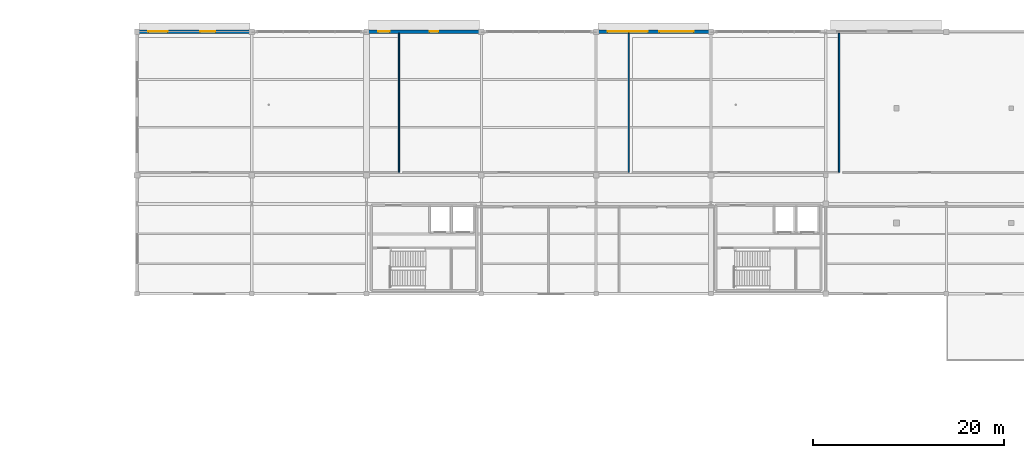
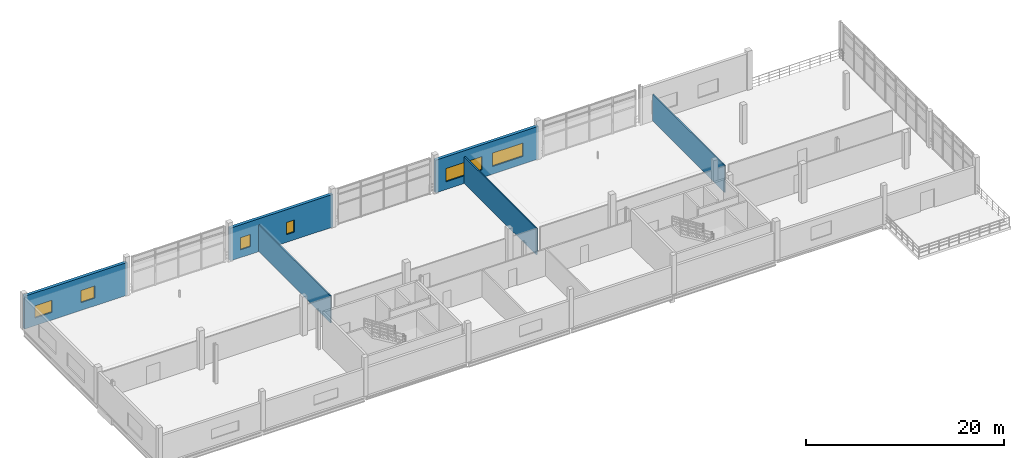
# One storey, part 41 of 52: 6 walls, 6 windows, 6 openings.
"""IFC4 building model written with IfcOpenShell, lengths in metres."""

from ifc_helpers import new_model, si_unit, direction, frame, frame_2d, origin, place, context, subcontext, project, spatial, rectangle, extrude, material, layer, layer_set, type_object, element, fill, save


model = new_model("IFC4")

# Units and contexts
model_context = context("Model", 3, precision=1e-05, world=origin(), true_north=direction((0.0, 1.0)))
body_context = subcontext(model_context, "Body", "Model", "MODEL_VIEW")
ifc_project = project(units=[si_unit("LENGTHUNIT", "METRE"), si_unit("AREAUNIT", "SQUARE_METRE"), si_unit("VOLUMEUNIT", "CUBIC_METRE"), si_unit("PLANEANGLEUNIT", "RADIAN"), si_unit("MASSUNIT", "GRAM", prefix="KILO"), si_unit("THERMODYNAMICTEMPERATUREUNIT", "KELVIN"), si_unit("POWERUNIT", "WATT")], contexts=[model_context])

# Site, building, storey
site_placement = place(None, origin())
site = spatial("IfcSite", under=ifc_project, at=site_placement, CompositionType="ELEMENT")
building_placement = place(site_placement, origin())
building = spatial("IfcBuilding", under=site, at=building_placement, Name="Solmara Park Aquatics Centre", CompositionType="ELEMENT")
storey_placement = place(building_placement, frame((0.0, 0.0, 9.60009765625)))
storey = spatial("IfcBuildingStorey", under=building, at=storey_placement, Name="L02", CompositionType="ELEMENT", Elevation=9.60009765625)

# Walls
ifc_material_1 = material(Name="Double-Stud Acoustic Gypsum Partition", Category="gypsum")
ifc_layer_1 = layer(ifc_material_1, 0.139892578125, Name="Double-Stud Acoustic Gypsum Partition")
ifc_layer_set_1 = layer_set([ifc_layer_1], Name="Double-Stud Acoustic Gypsum Partition")
wall_type_1 = type_object("IfcWallType", Name="ARC-WL-ACU140", PredefinedType="PARTITIONING", material=ifc_layer_set_1)
for number, where, z_axis, x_axis, name in (
    (1, (52.0, 121.300048828125, 0.0), (0.0, 0.0, 1.0), (0.0, 1.0, 0.0), "Interior Partition IW-L02-0113 (L02-PHY-01)"),
    (2, (76.0, 121.300048828125, 0.0), (0.0, 0.0, 1.0), (0.0, 1.0, 0.0), "Interior Partition IW-L02-0115 (L02-PHY-02)"),
    (3, (98.0, 121.300048828125, 0.0), (0.0, 0.0, 1.0), (0.0, 1.0, 0.0), "Interior Partition IW-L02-0117 (L02-BIO-01)"),
):
    element("IfcWall", number, at=place(storey_placement, frame(where, z_axis=z_axis, x_axis=x_axis)), inside=storey, type_object=wall_type_1, Name=name, PredefinedType="PARTITIONING", context=body_context, shape_type="SweptSolid", body=[
        extrude(rectangle(XDim=14.52490234375, YDim=0.139892578125, at=frame_2d((7.262451171875, 0.0))), origin(), (0.0, 0.0, 1.0), 3.2998046875),
    ])

# Wall, openings, windows
ifc_material_2 = material(Name="Insulated Limestone Render Wall", Category="masonry")
ifc_layer_2 = layer(ifc_material_2, 0.35009765625, Name="Insulated Limestone Render Wall")
ifc_layer_set_2 = layer_set([ifc_layer_2], Name="Insulated Limestone Render Wall")
wall_type_2 = type_object("IfcWallType", Name="ARC-WL-EXT350", PredefinedType="SOLIDWALL", material=ifc_layer_set_2)
wall_1_placement = place(storey_placement, frame((24.60009765625, 136.0, 0.0), z_axis=(0.0, 0.0, 1.0), x_axis=(1.0, 0.0, 0.0)))
wall_1 = element("IfcWall", 4, at=wall_1_placement, inside=storey, type_object=wall_type_2, Name="Exterior Facade Wall EW-L02-029", PredefinedType="SOLIDWALL", context=body_context, shape_type="SweptSolid", body=[
    extrude(rectangle(XDim=12.0, YDim=0.35009765625, at=frame_2d((6.0, 0.0))), origin(), (0.0, 0.0, 1.0), 4.039794921875),
])
opening_1_placement = place(wall_1_placement, frame((1.199951171875, 0.0, 0.949951171875)))
opening_1 = element("IfcOpeningElement", 5, at=opening_1_placement, cuts=wall_1, Name="Opening W-17", PredefinedType="OPENING", context=body_context, shape_type="SweptSolid", body=[
    extrude(rectangle(XDim=2.0, YDim=1.5, at=frame_2d((1.0, 0.75))), frame((0.0, 0.18505859375, 0.0), z_axis=(0.0, -1.0, 0.0), x_axis=(1.0, 0.0, 0.0)), (0.0, 0.0, 1.0), 0.3701171875),
])
opening_2_placement = place(wall_1_placement, frame((6.60009765625, 0.0, 0.949951171875)))
opening_2 = element("IfcOpeningElement", 6, at=opening_2_placement, cuts=wall_1, Name="Opening W-18", PredefinedType="OPENING", context=body_context, shape_type="SweptSolid", body=[
    extrude(rectangle(XDim=1.60009765625, YDim=1.5, at=frame_2d((0.800048828125, 0.75))), frame((0.0, 0.18505859375, 0.0), z_axis=(0.0, -1.0, 0.0), x_axis=(1.0, 0.0, 0.0)), (0.0, 0.0, 1.0), 0.3701171875),
])
ifc_material_3 = material(Name="Thermally Broken Aluminium and Low-E Double Glazing", Category="aluminium")
window_type_1 = type_object("IfcWindowType", Name="ARC-WN-160x150", PartitioningType="SINGLE_PANEL", PredefinedType="WINDOW", material=ifc_material_3)
window_1_placement = place(opening_2_placement, origin())
window_1 = element("IfcWindow", 7, at=window_1_placement, inside=storey, type_object=window_type_1, Name="Ribbon Window WN-072", OverallHeight=1.5, OverallWidth=1.60009765625, PartitioningType="SINGLE_PANEL", PredefinedType="WINDOW", context=body_context, shape_type="SweptSolid", body=[
    extrude(rectangle(XDim=1.60009765625, YDim=1.5, at=frame_2d((0.800048828125, 0.75))), frame((0.0, 0.030029296875, 0.0), z_axis=(0.0, -1.0, 0.0), x_axis=(1.0, 0.0, 0.0)), (0.0, 0.0, 1.0), 0.06005859375),
])
fill(opening_2, window_1)
window_type_2 = type_object("IfcWindowType", Name="ARC-WN-200x150", PartitioningType="DOUBLE_PANEL_VERTICAL", PredefinedType="WINDOW", material=ifc_material_3)
window_2_placement = place(opening_1_placement, origin())
window_2 = element("IfcWindow", 8, at=window_2_placement, inside=storey, type_object=window_type_2, Name="Ribbon Window WN-071", OverallHeight=1.5, OverallWidth=2.0, PartitioningType="DOUBLE_PANEL_VERTICAL", PredefinedType="WINDOW", context=body_context, shape_type="SweptSolid", body=[
    extrude(rectangle(XDim=2.0, YDim=1.5, at=frame_2d((1.0, 0.75))), frame((0.0, 0.030029296875, 0.0), z_axis=(0.0, -1.0, 0.0), x_axis=(1.0, 0.0, 0.0)), (0.0, 0.0, 1.0), 0.06005859375),
])
fill(opening_1, window_2)

wall_2_placement = place(storey_placement, frame((48.60009765625, 136.0, 0.0), z_axis=(0.0, 0.0, 1.0), x_axis=(1.0, 0.0, 0.0)))
wall_2 = element("IfcWall", 9, at=wall_2_placement, inside=storey, type_object=wall_type_2, Name="Exterior Facade Wall EW-L02-030", PredefinedType="SOLIDWALL", context=body_context, shape_type="SweptSolid", body=[
    extrude(rectangle(XDim=12.0, YDim=0.35009765625, at=frame_2d((6.0, 0.0))), origin(), (0.0, 0.0, 1.0), 4.039794921875),
])
opening_3_placement = place(wall_2_placement, frame((1.199951171875, 0.0, 0.949951171875)))
opening_3 = element("IfcOpeningElement", 10, at=opening_3_placement, cuts=wall_2, Name="Opening W-19", PredefinedType="OPENING", context=body_context, shape_type="SweptSolid", body=[
    extrude(rectangle(XDim=1.199951171875, YDim=1.5, at=frame_2d((0.60009765625, 0.75))), frame((0.0, 0.18505859375, 0.0), z_axis=(0.0, -1.0, 0.0), x_axis=(1.0, 0.0, 0.0)), (0.0, 0.0, 1.0), 0.3701171875),
])
opening_4_placement = place(wall_2_placement, frame((6.60009765625, 0.0, 0.949951171875)))
opening_4 = element("IfcOpeningElement", 11, at=opening_4_placement, cuts=wall_2, Name="Opening W-20", PredefinedType="OPENING", context=body_context, shape_type="SweptSolid", body=[
    extrude(rectangle(XDim=0.89990234375, YDim=1.5, at=frame_2d((0.449951171875, 0.75))), frame((0.0, 0.18505859375, 0.0), z_axis=(0.0, -1.0, 0.0), x_axis=(1.0, 0.0, 0.0)), (0.0, 0.0, 1.0), 0.3701171875),
])
window_type_3 = type_object("IfcWindowType", Name="ARC-WN-090x150", PartitioningType="SINGLE_PANEL", PredefinedType="WINDOW", material=ifc_material_3)
window_3_placement = place(opening_4_placement, origin())
window_3 = element("IfcWindow", 12, at=window_3_placement, inside=storey, type_object=window_type_3, Name="Ribbon Window WN-074", OverallHeight=1.5, OverallWidth=0.89990234375, PartitioningType="SINGLE_PANEL", PredefinedType="WINDOW", context=body_context, shape_type="SweptSolid", body=[
    extrude(rectangle(XDim=0.89990234375, YDim=1.5, at=frame_2d((0.449951171875, 0.75))), frame((0.0, 0.030029296875, 0.0), z_axis=(0.0, -1.0, 0.0), x_axis=(1.0, 0.0, 0.0)), (0.0, 0.0, 1.0), 0.06005859375),
])
fill(opening_4, window_3)
window_type_4 = type_object("IfcWindowType", Name="ARC-WN-120x150", PartitioningType="SINGLE_PANEL", PredefinedType="WINDOW", material=ifc_material_3)
window_4_placement = place(opening_3_placement, origin())
window_4 = element("IfcWindow", 13, at=window_4_placement, inside=storey, type_object=window_type_4, Name="Ribbon Window WN-073", OverallHeight=1.5, OverallWidth=1.199951171875, PartitioningType="SINGLE_PANEL", PredefinedType="WINDOW", context=body_context, shape_type="SweptSolid", body=[
    extrude(rectangle(XDim=1.199951171875, YDim=1.5, at=frame_2d((0.60009765625, 0.75))), frame((0.0, 0.030029296875, 0.0), z_axis=(0.0, -1.0, 0.0), x_axis=(1.0, 0.0, 0.0)), (0.0, 0.0, 1.0), 0.06005859375),
])
fill(opening_3, window_4)

wall_3_placement = place(storey_placement, frame((72.60009765625, 136.0, 0.0), z_axis=(0.0, 0.0, 1.0), x_axis=(1.0, 0.0, 0.0)))
wall_3 = element("IfcWall", 14, at=wall_3_placement, inside=storey, type_object=wall_type_2, Name="Exterior Facade Wall EW-L02-031", PredefinedType="SOLIDWALL", context=body_context, shape_type="SweptSolid", body=[
    extrude(rectangle(XDim=12.0, YDim=0.35009765625, at=frame_2d((6.0, 0.0))), origin(), (0.0, 0.0, 1.0), 4.039794921875),
])
opening_5_placement = place(wall_3_placement, frame((1.199951171875, 0.0, 0.949951171875)))
opening_5 = element("IfcOpeningElement", 15, at=opening_5_placement, cuts=wall_3, Name="Opening W-21", PredefinedType="OPENING", context=body_context, shape_type="SweptSolid", body=[
    extrude(rectangle(XDim=4.199951171875, YDim=1.64990234375, at=frame_2d((2.10009765625, 0.824951171875))), frame((0.0, 0.18505859375, 0.0), z_axis=(0.0, -1.0, 0.0), x_axis=(1.0, 0.0, 0.0)), (0.0, 0.0, 1.0), 0.3701171875),
])
opening_6_placement = place(wall_3_placement, frame((6.60009765625, 0.0, 0.949951171875)))
opening_6 = element("IfcOpeningElement", 16, at=opening_6_placement, cuts=wall_3, Name="Opening W-22", PredefinedType="OPENING", context=body_context, shape_type="SweptSolid", body=[
    extrude(rectangle(XDim=3.60009765625, YDim=1.64990234375, at=frame_2d((1.800048828125, 0.824951171875))), frame((0.0, 0.18505859375, 0.0), z_axis=(0.0, -1.0, 0.0), x_axis=(1.0, 0.0, 0.0)), (0.0, 0.0, 1.0), 0.3701171875),
])
window_type_5 = type_object("IfcWindowType", Name="ARC-WN-360x165", PartitioningType="TRIPLE_PANEL_HORIZONTAL", PredefinedType="WINDOW", material=ifc_material_3)
window_5_placement = place(opening_6_placement, origin())
window_5 = element("IfcWindow", 17, at=window_5_placement, inside=storey, type_object=window_type_5, Name="Ribbon Window WN-076", OverallHeight=1.64990234375, OverallWidth=3.60009765625, PartitioningType="TRIPLE_PANEL_HORIZONTAL", PredefinedType="WINDOW", context=body_context, shape_type="SweptSolid", body=[
    extrude(rectangle(XDim=3.60009765625, YDim=1.64990234375, at=frame_2d((1.800048828125, 0.824951171875))), frame((0.0, 0.030029296875, 0.0), z_axis=(0.0, -1.0, 0.0), x_axis=(1.0, 0.0, 0.0)), (0.0, 0.0, 1.0), 0.06005859375),
])
fill(opening_6, window_5)
window_type_6 = type_object("IfcWindowType", Name="ARC-WN-420x165", PartitioningType="TRIPLE_PANEL_HORIZONTAL", PredefinedType="WINDOW", material=ifc_material_3)
window_6_placement = place(opening_5_placement, origin())
window_6 = element("IfcWindow", 18, at=window_6_placement, inside=storey, type_object=window_type_6, Name="Ribbon Window WN-075", OverallHeight=1.64990234375, OverallWidth=4.199951171875, PartitioningType="TRIPLE_PANEL_HORIZONTAL", PredefinedType="WINDOW", context=body_context, shape_type="SweptSolid", body=[
    extrude(rectangle(XDim=4.199951171875, YDim=1.64990234375, at=frame_2d((2.10009765625, 0.824951171875))), frame((0.0, 0.030029296875, 0.0), z_axis=(0.0, -1.0, 0.0), x_axis=(1.0, 0.0, 0.0)), (0.0, 0.0, 1.0), 0.06005859375),
])
fill(opening_5, window_6)

save(model, "model.ifc")
